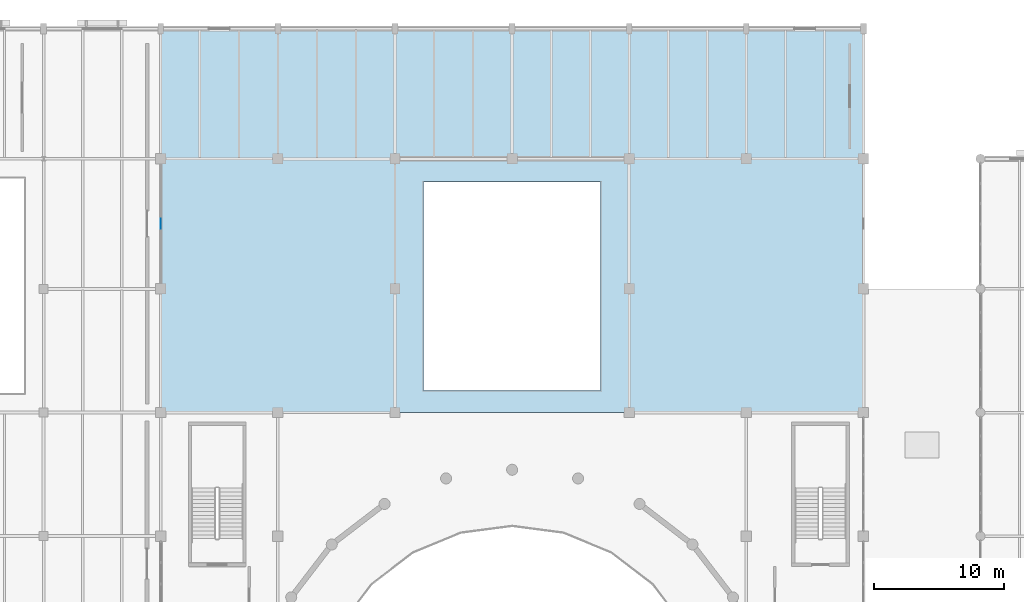
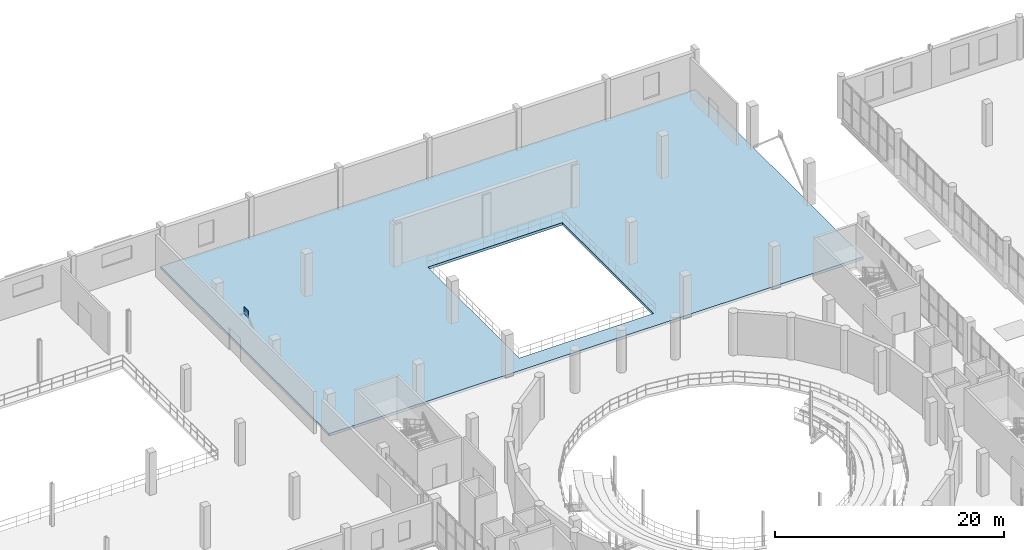
# One storey, part 62 of 93: 1 plate, 1 slab.
"""IFC4 building model written with IfcOpenShell, lengths in metres."""

import ifcopenshell
import ifcopenshell.guid

model = None  # the IFC model being written
_history = None  # IfcOwnerHistory: only IFC2X3 demands one
_inside = {}  # id of a spatial element -> (the spatial element, [elements in it])
_under = {}  # id of a project, library or spatial element -> (it, [spatial elements below it])
_declared = {}  # id of a project -> (the project, [libraries it declares])
_typed = {}  # id of a type object -> (the type object, [elements of that type])
_made_of = {}  # id of a material, layer set ... -> (it, [elements and type objects made of it])


def new_model(schema):
    """Start an empty IFC model of exactly this schema.

    Asked for "IFC4X3", IfcOpenShell would pick the latest addendum, in which some entities
    have other attributes; the version numbers below select the first issue.
    IFC2X3 requires an IfcOwnerHistory on every rooted entity: one is made here for all.
    """
    global model, _history
    if schema == "IFC4X3":
        model = ifcopenshell.file(schema_version=(4, 3, 0, 0))
    else:
        model = ifcopenshell.file(schema=schema)
    _inside.clear()
    _under.clear()
    _declared.clear()
    _typed.clear()
    _made_of.clear()
    _history = None
    if model.schema == "IFC2X3":
        org = make("IfcOrganization", Name="unknown")
        user = make(
            "IfcPersonAndOrganization",
            ThePerson=make("IfcPerson", FamilyName="unknown"),
            TheOrganization=org,
        )
        app = make(
            "IfcApplication",
            ApplicationDeveloper=org,
            Version="unknown",
            ApplicationFullName="unknown",
            ApplicationIdentifier="unknown",
        )
        _history = make(
            "IfcOwnerHistory",
            OwningUser=user,
            OwningApplication=app,
            ChangeAction="ADDED",
            CreationDate=0,
        )
    return model


def make(cls, **values):
    """One entity of the class cls with the attributes given. An attribute that is None is left unset."""
    return model.create_entity(
        cls, **{name: value for name, value in values.items() if value is not None}
    )


def rooted(cls, **values):
    """An entity with a GlobalId (a new one), such as an element, a storey or a relation."""
    return make(cls, GlobalId=ifcopenshell.guid.new(), OwnerHistory=_history, **values)


def si_unit(unit_type, name, prefix=None):
    """IfcSIUnit, for example si_unit("LENGTHUNIT", "METRE", prefix="MILLI")."""
    return make("IfcSIUnit", UnitType=unit_type, Prefix=prefix, Name=name)


def assignment(units):
    """IfcUnitAssignment: the units of a project."""
    return None if units is None else make("IfcUnitAssignment", Units=units)


def point(xyz):
    """IfcCartesianPoint."""
    return None if xyz is None else make("IfcCartesianPoint", Coordinates=xyz)


def direction(xyz):
    """IfcDirection."""
    return None if xyz is None else make("IfcDirection", DirectionRatios=xyz)


def frame(location, z_axis=None, x_axis=None):
    """IfcAxis2Placement3D, a coordinate frame: its origin and axes. An axis left out is left unset."""
    return make(
        "IfcAxis2Placement3D",
        Location=point(location),
        Axis=direction(z_axis),
        RefDirection=direction(x_axis),
    )


def frame_2d(location, x_axis=None):
    """IfcAxis2Placement2D, a coordinate frame in the plane: its origin and x axis."""
    return make(
        "IfcAxis2Placement2D", Location=point(location), RefDirection=direction(x_axis)
    )


def origin():
    """The frame at (0, 0, 0) with its axes left unset."""
    return frame((0.0, 0.0, 0.0))


def origin_2d():
    """The frame at (0, 0) in the plane with its x axis left unset."""
    return frame_2d((0.0, 0.0))


def place(relative_to, where):
    """IfcLocalPlacement: puts the frame where relative to a parent placement (None: the world)."""
    return make(
        "IfcLocalPlacement", PlacementRelTo=relative_to, RelativePlacement=where
    )


def context(
    kind, dimensions, precision=None, world=None, true_north=None, identifier=None
):
    """IfcGeometricRepresentationContext, for example the 3D "Model" context."""
    return make(
        "IfcGeometricRepresentationContext",
        ContextIdentifier=identifier,
        ContextType=kind,
        CoordinateSpaceDimension=dimensions,
        Precision=precision,
        WorldCoordinateSystem=world,
        TrueNorth=true_north,
    )


def subcontext(parent, identifier, kind, view, scale=None):
    """IfcGeometricRepresentationSubContext, for example "Body" below "Model"."""
    return make(
        "IfcGeometricRepresentationSubContext",
        ContextIdentifier=identifier,
        ContextType=kind,
        ParentContext=parent,
        TargetScale=scale,
        TargetView=view,
    )


def project(units=None, contexts=None):
    """IfcProject with its units and contexts."""
    return rooted(
        "IfcProject",
        Name="project",
        RepresentationContexts=contexts,
        UnitsInContext=assignment(units),
    )


def spatial(cls, under=None, at=None, **own):
    """A site, building, storey or space (cls), placed at a placement, below another one or the project."""
    s = rooted(cls, ObjectPlacement=at, **own)
    if under is not None:
        _under.setdefault(under.id(), (under, []))[1].append(s)
    return s


def polyline(points):
    """IfcPolyline through the points."""
    return make("IfcPolyline", Points=[point(p) for p in points])


def profile(cls, at=None, kind="AREA", **sizes):
    """A parametric profile (cls). Its sizes go by their IFC names, for example OverallWidth=200.0."""
    return make(cls, ProfileType=kind, Position=at, **sizes)


def rectangle(**sizes):
    """IfcRectangleProfileDef."""
    return profile("IfcRectangleProfileDef", **sizes)


def outline(outer, holes=None, kind="AREA"):
    """IfcArbitraryClosedProfileDef: a profile drawn as a closed curve; with holes, ...WithVoids."""
    if holes is None:
        return make("IfcArbitraryClosedProfileDef", ProfileType=kind, OuterCurve=outer)
    return make(
        "IfcArbitraryProfileDefWithVoids",
        ProfileType=kind,
        OuterCurve=outer,
        InnerCurves=holes,
    )


def extrude(swept, where, along, depth):
    """IfcExtrudedAreaSolid: the profile swept, set in the frame where, extruded along a direction by depth."""
    return make(
        "IfcExtrudedAreaSolid",
        SweptArea=swept,
        Position=where,
        ExtrudedDirection=direction(along),
        Depth=depth,
    )


def shape(context_of_items, identifier, shape_type, items):
    """IfcShapeRepresentation: the items that make up one representation, for example the "Body"."""
    return make(
        "IfcShapeRepresentation",
        ContextOfItems=context_of_items,
        RepresentationIdentifier=identifier,
        RepresentationType=shape_type,
        Items=items,
    )


def material(Name=None, Category=None):
    """IfcMaterial."""
    return make("IfcMaterial", Name=Name, Category=Category)


def layer(
    of_material, thickness, ventilated=None, Name=None, Category=None, Priority=None
):
    """IfcMaterialLayer: one layer of a wall or slab, of a material (None: an air gap)."""
    return make(
        "IfcMaterialLayer",
        Material=of_material,
        LayerThickness=thickness,
        IsVentilated=ventilated,
        Name=Name,
        Category=Category,
        Priority=Priority,
    )


def layer_set(layers, Name=None):
    """IfcMaterialLayerSet."""
    return make("IfcMaterialLayerSet", MaterialLayers=layers, LayerSetName=Name)


def made_of(thing, what):
    """Note that an element or type object is made of a material, layer set ...; save() writes the relation."""
    if what is not None:
        _made_of.setdefault(what.id(), (what, []))[1].append(thing)
    return thing


def type_object(cls, material=None, **own):
    """A type object (cls), such as IfcWallType, which elements share."""
    return made_of(rooted(cls, **own), material)


def element(
    cls,
    number,
    at=None,
    inside=None,
    cuts=None,
    type_object=None,
    material=None,
    context=None,
    identifier="Body",
    shape_type=None,
    held_by="IfcProductDefinitionShape",
    body=None,
    shapes=None,
    **own,
):
    """One element of the class cls, such as IfcWall. Its Tag is "e" and its number.

    at: its placement. inside: the storey or other place that contains it. cuts: it is an
    opening in that element (IfcRelVoidsElement). A single representation is given by context,
    identifier, shape_type and body (its items); several are given by shapes. held_by: the class
    of the entity that holds the representations. save() writes the other relations.
    """
    e = rooted(cls, Tag="e%d" % number, ObjectPlacement=at, **own)
    if body is not None:
        shapes = [shape(context, identifier, shape_type, body)]
    if shapes is not None:
        e.Representation = make(held_by, Representations=shapes)
    if inside is not None:
        _inside.setdefault(inside.id(), (inside, []))[1].append(e)
    if cuts is not None:
        rooted(
            "IfcRelVoidsElement", RelatingBuildingElement=cuts, RelatedOpeningElement=e
        )
    if type_object is not None:
        _typed.setdefault(type_object.id(), (type_object, []))[1].append(e)
    return made_of(e, material)


def aggregate(whole, parts):
    """IfcRelAggregates: a whole, such as a stair, and the parts it consists of."""
    return rooted("IfcRelAggregates", RelatingObject=whole, RelatedObjects=parts)


def save(model, path):
    """Write the relations noted so far, then the file.

    IfcRelAggregates (storeys below a building ...), IfcRelContainedInSpatialStructure (elements
    in a storey), IfcRelDefinesByType, IfcRelAssociatesMaterial and IfcRelDeclares: one each for
    every whole, place, type object, material and project.
    """
    for whole, parts in _under.values():
        aggregate(whole, parts)
    for where, things in _inside.values():
        rooted(
            "IfcRelContainedInSpatialStructure",
            RelatedElements=things,
            RelatingStructure=where,
        )
    for kind, things in _typed.values():
        rooted("IfcRelDefinesByType", RelatedObjects=things, RelatingType=kind)
    for what, things in _made_of.values():
        rooted("IfcRelAssociatesMaterial", RelatedObjects=things, RelatingMaterial=what)
    for by, libraries in _declared.values():
        rooted("IfcRelDeclares", RelatingContext=by, RelatedDefinitions=libraries)
    model.write(path)


model = new_model("IFC4")

# Units and contexts
model_context = context("Model", 3, precision=1e-05, world=origin(), true_north=direction((0.0, 1.0)))
body_context = subcontext(model_context, "Body", "Model", "MODEL_VIEW")
ifc_project = project(units=[si_unit("LENGTHUNIT", "METRE"), si_unit("AREAUNIT", "SQUARE_METRE"), si_unit("VOLUMEUNIT", "CUBIC_METRE"), si_unit("PLANEANGLEUNIT", "RADIAN"), si_unit("MASSUNIT", "GRAM", prefix="KILO")], contexts=[model_context])

# Site, building, storey
site_placement = place(None, origin())
site = spatial("IfcSite", under=ifc_project, at=site_placement, CompositionType="ELEMENT")
building_placement = place(site_placement, origin())
building = spatial("IfcBuilding", under=site, at=building_placement, Name="Marnock Terrace Opera House", CompositionType="ELEMENT")
storey_placement = place(building_placement, frame((0.0, 0.0, 5.39990234375)))
storey = spatial("IfcBuildingStorey", under=building, at=storey_placement, Name="L01", CompositionType="ELEMENT", Elevation=5.39990234375)

# Plate
ifc_material_1 = material(Name="Steel Grade 350 (AS/NZS 3679.1)", Category="steel")
ifc_layer_1 = layer(ifc_material_1, 0.030029296875)
ifc_layer_set_1 = layer_set([ifc_layer_1], Name="Steel Grade 350 (AS/NZS 3679.1)")
plate_type = type_object("IfcPlateType", Name="PLT-GUSSET-30", PredefinedType="SHEET", material=ifc_layer_set_1)
plate_placement = place(storey_placement, frame((55.0, 99.0, 3.7900390625), z_axis=(0.0, 0.0, 1.0), x_axis=(0.0, 1.0, 0.0)))
element("IfcPlate", 1, at=plate_placement, inside=storey, type_object=plate_type, Name="L01 chevron brace gusset plate BN-10", PredefinedType="SHEET", context=body_context, shape_type="SweptSolid", body=[
    extrude(rectangle(XDim=0.780029296875, YDim=0.030029296875, at=origin_2d()), origin(), (0.0, 0.0, 1.0), 0.780029296875),
])

# Slab
ifc_material_2 = material(Name="Concrete N40 (f'c = 40 MPa)", Category="concrete")
ifc_layer_2 = layer(ifc_material_2, 0.280029296875)
ifc_layer_set_2 = layer_set([ifc_layer_2], Name="Concrete N40 (f'c = 40 MPa)")
slab_type = type_object("IfcSlabType", Name="SL-FLR-280", PredefinedType="FLOOR", material=ifc_layer_set_2)
slab_placement = place(storey_placement, frame((0.0, 0.0, -0.27978515625)))
element("IfcSlab", 2, at=slab_placement, inside=storey, type_object=slab_type, Name="L01 Stage House structural slab", PredefinedType="FLOOR", context=body_context, shape_type="SweptSolid", body=[
    extrude(outline(polyline([(55.0, 84.5), (109.0, 84.5), (109.0, 114.0), (55.0, 114.0), (55.0, 84.5)]), holes=[polyline([(75.199951171875, 86.199951171875), (88.800048828125, 86.199951171875), (88.800048828125, 102.199951171875), (75.199951171875, 102.199951171875), (75.199951171875, 86.199951171875)])]), origin(), (0.0, 0.0, 1.0), 0.27978515625),
])

save(model, "model.ifc")
